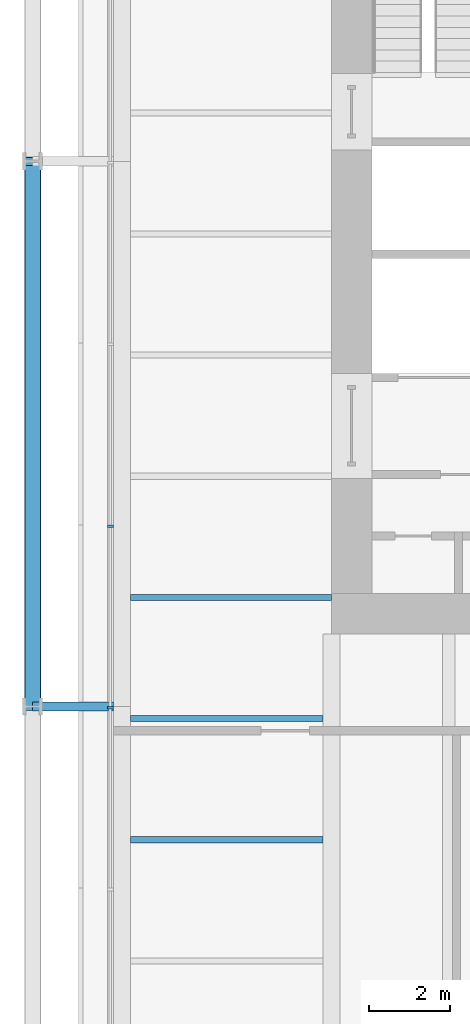
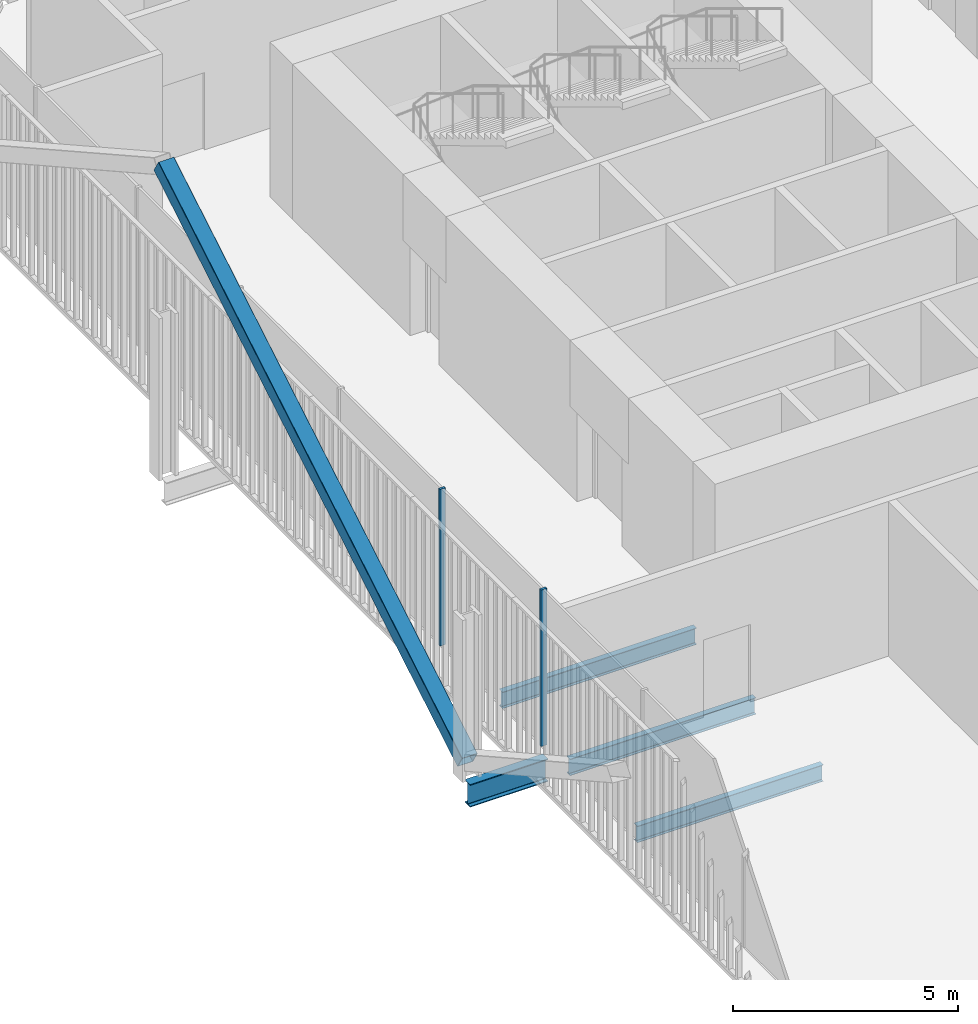
# One storey, part 5 of 21: 4 beams, 3 members, 1 element without a shape of its own.
"""IFC4 building model written with IfcOpenShell, lengths in metres."""

from ifc_helpers import new_model, si_unit, direction, frame, origin, origin_2d, place, context, subcontext, project, spatial, rectangle, hollow_rectangle, i_section, extrude, material, layer, layer_set, material_profile, profile_set, type_object, element, aggregate, save


model = new_model("IFC4")

# Units and contexts
model_context = context("Model", 3, precision=1e-05, world=origin(), true_north=direction((0.0, 1.0)))
body_context = subcontext(model_context, "Body", "Model", "MODEL_VIEW")
ifc_project = project(units=[si_unit("LENGTHUNIT", "METRE"), si_unit("AREAUNIT", "SQUARE_METRE"), si_unit("VOLUMEUNIT", "CUBIC_METRE"), si_unit("PLANEANGLEUNIT", "RADIAN"), si_unit("MASSUNIT", "GRAM", prefix="KILO")], contexts=[model_context])

# Site, building, storey
site_placement = place(None, origin())
site = spatial("IfcSite", under=ifc_project, at=site_placement, CompositionType="ELEMENT")
building_placement = place(site_placement, origin())
building = spatial("IfcBuilding", under=site, at=building_placement, Name="Millrace Tower", CompositionType="ELEMENT")
storey_placement = place(building_placement, frame((0.0, 0.0, 104.0)))
storey = spatial("IfcBuildingStorey", under=building, at=storey_placement, Name="L23", CompositionType="ELEMENT", Elevation=104.0)

# Curtain wall, members
ifc_material_1 = material(Name="Aluminium and glass", Category="aluminium")
ifc_layer = layer(ifc_material_1, 0.14990234375)
ifc_layer_set = layer_set([ifc_layer], Name="Aluminium and glass")
curtain_wall_type = type_object("IfcCurtainWallType", Name="CW-3 telecom floor curtain wall", PredefinedType="NOTDEFINED", material=ifc_layer_set)
curtain_wall_placement = place(storey_placement, origin())
curtain_wall = element("IfcCurtainWall", 1, at=curtain_wall_placement, inside=storey, type_object=curtain_wall_type, Name="Curtain wall B-F08 L23", PredefinedType="NOTDEFINED")
ifc_material_2 = material(Name="Aluminium", Category="aluminium")
ifc_material_profile_1 = material_profile(ifc_material_2, rectangle(XDim=0.06494140625, YDim=0.14990234375, at=origin_2d()))
ifc_profile_set_1 = profile_set([ifc_material_profile_1], Name="Aluminium")
member_type_1 = type_object("IfcMemberType", Name="CW-3 telecom floor curtain wall mullion", PredefinedType="MULLION", material=ifc_profile_set_1)
member_1_placement = place(storey_placement, frame((-20.375, -7.232421875, 0.14990234375), z_axis=(0.0, 0.0, 1.0), x_axis=(0.0, -1.0, 0.0)))
member_1 = element("IfcMember", 2, at=member_1_placement, type_object=member_type_1, Name="CW3 mullion B-F08.6", PredefinedType="MULLION", context=body_context, shape_type="SweptSolid", body=[
    extrude(rectangle(XDim=0.06494140625, YDim=0.14990234375, at=origin_2d()), origin(), (0.0, 0.0, 1.0), 4.25),
])
member_2_placement = place(storey_placement, frame((-20.375, -11.732421875, 0.14990234375), z_axis=(0.0, 0.0, 1.0), x_axis=(0.0, -1.0, 0.0)))
member_2 = element("IfcMember", 3, at=member_2_placement, type_object=member_type_1, Name="CW3 mullion B-F08.7", PredefinedType="MULLION", context=body_context, shape_type="SweptSolid", body=[
    extrude(rectangle(XDim=0.06494140625, YDim=0.14990234375, at=origin_2d()), origin(), (0.0, 0.0, 1.0), 4.25),
])
aggregate(curtain_wall, [member_1, member_2])

# Member
ifc_material_3 = material(Name="Steel ASTM A500 Grade C", Category="steel")
ifc_material_profile_2 = material_profile(ifc_material_3, hollow_rectangle(XDim=0.406494140625, YDim=0.406494140625, WallThickness=0.0126953125, InnerFilletRadius=0.00634765625, OuterFilletRadius=0.01904296875, at=origin_2d()))
ifc_profile_set_2 = profile_set([ifc_material_profile_2], Name="Steel ASTM A500 Grade C")
member_type_2 = type_object("IfcMemberType", Name="Exoskeleton brace HSS16x16x1/2", PredefinedType="BRACE", material=ifc_profile_set_2)
member_3_placement = place(storey_placement, frame((-22.300048828125, -11.699951171875, 0.39990234375), z_axis=(0.0, 0.860291533634, 0.509802390302), x_axis=(-1.0, 0.0, 0.0)))
element("IfcMember", 4, at=member_3_placement, inside=storey, type_object=member_type_2, Name="BRC-B-L23-15", PredefinedType="BRACE", context=body_context, shape_type="SweptSolid", body=[
    extrude(hollow_rectangle(XDim=0.406494140625, YDim=0.406494140625, WallThickness=0.0126953125, InnerFilletRadius=0.00634765625, OuterFilletRadius=0.01904296875, at=origin_2d()), origin(), (0.0, 0.0, 1.0), 15.6923828125),
])

# Beams
ifc_material_4 = material(Name="Steel ASTM A992 Grade 50", Category="steel")
ifc_material_profile_3 = material_profile(ifc_material_4, i_section(OverallWidth=0.15234375, OverallDepth=0.449462890625, WebThickness=0.007568359375, FlangeThickness=0.0107421875, FilletRadius=0.01025390625, at=origin_2d()))
ifc_profile_set_3 = profile_set([ifc_material_profile_3], Name="Steel ASTM A992 Grade 50")
beam_type_1 = type_object("IfcBeamType", Name="Floor beam W18x35", PredefinedType="JOIST", material=ifc_profile_set_3)
for number, where, z_axis, x_axis, name in (
    (5, (-19.880859375, -15.0, -0.4248046875), (1.0, 0.0, 0.0), (0.0, 1.0, 0.0), "BM-B-L23-S1-S009"),
    (6, (-19.880859375, -12.0, -0.4248046875), (1.0, 0.0, 0.0), (0.0, 1.0, 0.0), "BM-B-L23-S1-S011"),
):
    element("IfcBeam", number, at=place(storey_placement, frame(where, z_axis=z_axis, x_axis=x_axis)), inside=storey, type_object=beam_type_1, Name=name, PredefinedType="JOIST", context=body_context, shape_type="SweptSolid", body=[
        extrude(i_section(OverallWidth=0.15234375, OverallDepth=0.449462890625, WebThickness=0.007568359375, FlangeThickness=0.0107421875, FilletRadius=0.01025390625, at=origin_2d()), origin(), (0.0, 0.0, 1.0), 4.77001953125),
    ])
beam_1_placement = place(storey_placement, frame((-19.880859375, -9.0, -0.4248046875), z_axis=(1.0, 0.0, 0.0), x_axis=(0.0, 1.0, 0.0)))
element("IfcBeam", 7, at=beam_1_placement, inside=storey, type_object=beam_type_1, Name="BM-B-L23-S1-S014", PredefinedType="JOIST", context=body_context, shape_type="SweptSolid", body=[
    extrude(i_section(OverallWidth=0.15234375, OverallDepth=0.449462890625, WebThickness=0.007568359375, FlangeThickness=0.0107421875, FilletRadius=0.01025390625, at=origin_2d()), origin(), (0.0, 0.0, 1.0), 4.98095703125),
])
ifc_material_5 = material(Name="Steel ASTM A992 Grade 50", Category="steel")
ifc_material_profile_4 = material_profile(ifc_material_5, i_section(OverallWidth=0.23046875, OverallDepth=0.6171875, WebThickness=0.01318359375, FlangeThickness=0.022216796875, FilletRadius=0.012939453125, at=origin_2d()))
ifc_profile_set_4 = profile_set([ifc_material_profile_4], Name="Steel ASTM A992 Grade 50")
beam_type_2 = type_object("IfcBeamType", Name="Link beam W24x94", PredefinedType="BEAM", material=ifc_profile_set_4)
beam_2_placement = place(storey_placement, frame((-20.300048828125, -11.699951171875, -0.508544921875), z_axis=(-1.0, 0.0, 0.0), x_axis=(0.0, -1.0, 0.0)))
element("IfcBeam", 8, at=beam_2_placement, inside=storey, type_object=beam_type_2, Name="LNK-B-L23-S1-02", PredefinedType="BEAM", context=body_context, shape_type="SweptSolid", body=[
    extrude(i_section(OverallWidth=0.23046875, OverallDepth=0.6171875, WebThickness=0.01318359375, FlangeThickness=0.022216796875, FilletRadius=0.012939453125, at=origin_2d()), origin(), (0.0, 0.0, 1.0), 2.0),
])

save(model, "model.ifc")
